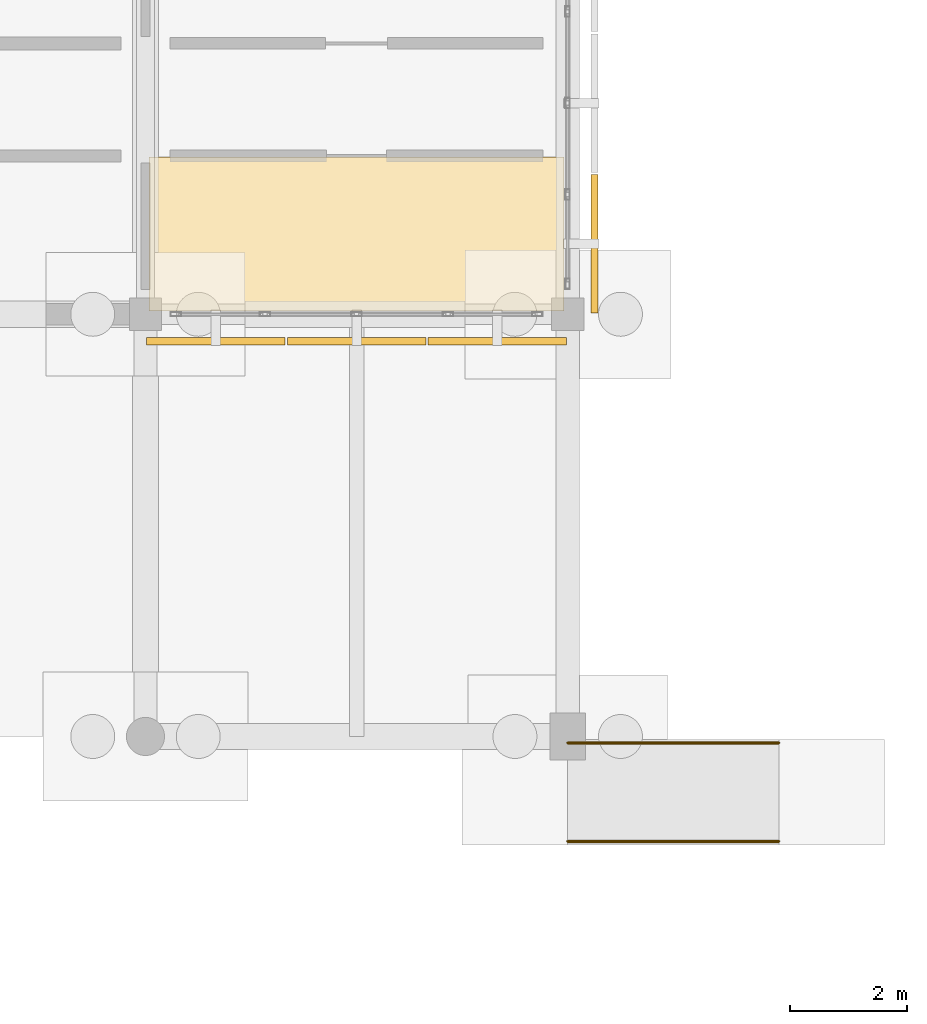
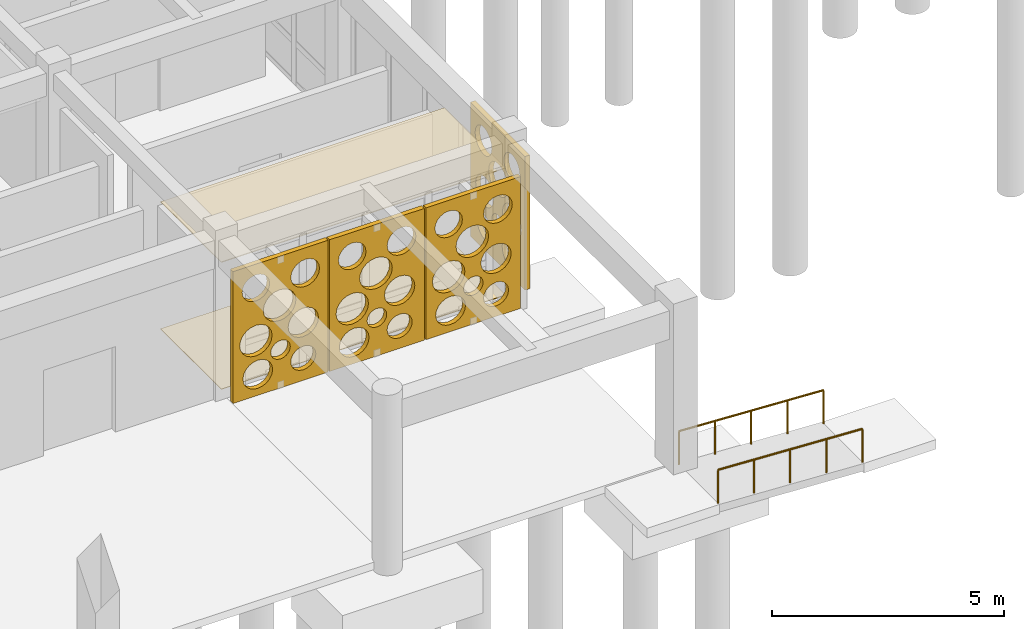
# One storey, part 100 of 111: 6 coverings, 2 railings.
"""IFC4 building model written with IfcOpenShell, lengths in metres."""

from ifc_helpers import new_model, si_unit, direction, frame, origin, origin_2d, place, context, subcontext, project, spatial, polyline, circle, outline, extrude, material, layer, layer_set, type_object, element, save


model = new_model("IFC4")

# Units and contexts
model_context = context("Model", 3, precision=1e-05, world=origin(), true_north=direction((0.0, 1.0)))
body_context = subcontext(model_context, "Body", "Model", "MODEL_VIEW")
ifc_project = project(units=[si_unit("LENGTHUNIT", "METRE"), si_unit("AREAUNIT", "SQUARE_METRE"), si_unit("VOLUMEUNIT", "CUBIC_METRE"), si_unit("PLANEANGLEUNIT", "RADIAN"), si_unit("MASSUNIT", "GRAM", prefix="KILO")], contexts=[model_context])

# Site, building, storey
site_placement = place(None, origin())
site = spatial("IfcSite", under=ifc_project, at=site_placement, CompositionType="ELEMENT")
building_placement = place(site_placement, origin())
building = spatial("IfcBuilding", under=site, at=building_placement, Name="Aldebral Square Health Centre", CompositionType="ELEMENT")
storey_placement = place(building_placement, origin())
storey = spatial("IfcBuildingStorey", under=building, at=storey_placement, Name="L00", CompositionType="ELEMENT", Elevation=0.0)

# Coverings
ifc_material_1 = material(Name="Hygienic acoustic mineral ceiling tile")
ifc_layer_1 = layer(ifc_material_1, 0.02001953125, Name="Hygienic acoustic mineral ceiling tile")
ifc_layer_set_1 = layer_set([ifc_layer_1], Name="Hygienic acoustic mineral ceiling tile")
covering_type_1 = type_object("IfcCoveringType", Name="COV-CLG-AC", PredefinedType="CEILING", material=ifc_layer_set_1)
covering_1_placement = place(storey_placement, frame((0.0, 0.0, 3.340087890625)))
element("IfcCovering", 1, at=covering_1_placement, inside=storey, type_object=covering_type_1, Name="L00 Community Cafe 15.12S acoustic ceiling", PredefinedType="CEILING", context=body_context, shape_type="SweptSolid", body=[
    extrude(outline(polyline([(100.860107421875, 79.260009765625), (107.93994140625, 79.260009765625), (107.93994140625, 81.8798828125), (100.860107421875, 81.8798828125), (100.860107421875, 79.260009765625)])), origin(), (0.0, 0.0, 1.0), 0.02001953125),
])
ifc_material_2 = material(Name="Antimicrobial clinical vinyl flooring")
ifc_layer_2 = layer(ifc_material_2, 0.014892578125, Name="Antimicrobial clinical vinyl flooring")
ifc_layer_set_2 = layer_set([ifc_layer_2], Name="Antimicrobial clinical vinyl flooring")
covering_type_2 = type_object("IfcCoveringType", Name="COV-FLR-VN", PredefinedType="FLOORING", material=ifc_layer_set_2)
covering_2_placement = place(storey_placement, origin())
element("IfcCovering", 2, at=covering_2_placement, inside=storey, type_object=covering_type_2, Name="L00 Community Cafe 15.12S clinical flooring", PredefinedType="FLOORING", context=body_context, shape_type="SweptSolid", body=[
    extrude(outline(polyline([(100.860107421875, 79.260009765625), (107.93994140625, 79.260009765625), (107.93994140625, 81.8798828125), (100.860107421875, 81.8798828125), (100.860107421875, 79.260009765625)])), origin(), (0.0, 0.0, 1.0), 0.014892578125),
])
ifc_material_3 = material(Name="Cream cantera perforated stone screen", Category="masonry")
ifc_layer_3 = layer(ifc_material_3, 0.1201171875, Name="Cream cantera perforated stone screen", Category="masonry")
ifc_layer_set_3 = layer_set([ifc_layer_3], Name="Cream cantera perforated stone screen")
covering_type_3 = type_object("IfcCoveringType", Name="COV-SCR-120", PredefinedType="CLADDING", material=ifc_layer_set_3)
covering_3_placement = place(storey_placement, frame((100.820068359375, 78.739990234375, 0.0), z_axis=(0.0, 0.0, 1.0), x_axis=(1.0, 0.0, 0.0)))
element("IfcCovering", 3, at=covering_3_placement, inside=storey, type_object=covering_type_3, Name="L00 V1 circular-aperture stone screen L00-V1-14-11-S.1", PredefinedType="CLADDING", context=body_context, shape_type="SweptSolid", body=[
    extrude(outline(polyline([(0.0, 0.0), (2.35986328125, 0.0), (2.35986328125, 3.469970703125), (0.0, 3.469970703125), (0.0, 0.0)]), holes=[polyline([(0.98486328125, 0.55517578125), (0.966552734375, 0.4404296875), (0.913818359375, 0.3369140625), (0.831787109375, 0.2548828125), (0.728271484375, 0.2021484375), (0.613525390625, 0.18408203125), (0.498779296875, 0.2021484375), (0.3955078125, 0.2548828125), (0.313232421875, 0.3369140625), (0.260498046875, 0.4404296875), (0.242431640625, 0.55517578125), (0.260498046875, 0.669921875), (0.313232421875, 0.7734375), (0.3955078125, 0.85546875), (0.498779296875, 0.908203125), (0.613525390625, 0.926513671875), (0.728271484375, 0.908203125), (0.831787109375, 0.85546875), (0.913818359375, 0.7734375), (0.966552734375, 0.669921875), (0.98486328125, 0.55517578125)]), polyline([(2.059326171875, 0.58984375), (2.0439453125, 0.4931640625), (1.99951171875, 0.406005859375), (1.930419921875, 0.336669921875), (1.843017578125, 0.292236328125), (1.746337890625, 0.277099609375), (1.649658203125, 0.292236328125), (1.5625, 0.336669921875), (1.4931640625, 0.406005859375), (1.44873046875, 0.4931640625), (1.43359375, 0.58984375), (1.44873046875, 0.6865234375), (1.4931640625, 0.77392578125), (1.5625, 0.843017578125), (1.649658203125, 0.887451171875), (1.746337890625, 0.90283203125), (1.843017578125, 0.887451171875), (1.930419921875, 0.843017578125), (1.99951171875, 0.77392578125), (2.0439453125, 0.6865234375), (2.059326171875, 0.58984375)]), polyline([(0.970703125, 1.45751953125), (0.950927734375, 1.33251953125), (0.8935546875, 1.2197265625), (0.803955078125, 1.13037109375), (0.69140625, 1.072998046875), (0.56640625, 1.052978515625), (0.44140625, 1.072998046875), (0.328857421875, 1.13037109375), (0.2392578125, 1.2197265625), (0.181884765625, 1.33251953125), (0.162109375, 1.45751953125), (0.181884765625, 1.582275390625), (0.2392578125, 1.695068359375), (0.328857421875, 1.784423828125), (0.44140625, 1.841796875), (0.56640625, 1.86181640625), (0.69140625, 1.841796875), (0.803955078125, 1.784423828125), (0.8935546875, 1.695068359375), (0.950927734375, 1.582275390625), (0.970703125, 1.45751953125)]), polyline([(2.124267578125, 1.52685546875), (2.105712890625, 1.41015625), (2.052001953125, 1.3046875), (1.968505859375, 1.22119140625), (1.863037109375, 1.16748046875), (1.746337890625, 1.14892578125), (1.629638671875, 1.16748046875), (1.5244140625, 1.22119140625), (1.440673828125, 1.3046875), (1.38720703125, 1.41015625), (1.36865234375, 1.52685546875), (1.38720703125, 1.6435546875), (1.440673828125, 1.748779296875), (1.5244140625, 1.83251953125), (1.629638671875, 1.88623046875), (1.746337890625, 1.904541015625), (1.863037109375, 1.88623046875), (1.968505859375, 1.83251953125), (2.052001953125, 1.748779296875), (2.105712890625, 1.6435546875), (2.124267578125, 1.52685546875)]), polyline([(1.42431640625, 1.00634765625), (1.412353515625, 0.9306640625), (1.377685546875, 0.862548828125), (1.32373046875, 0.80859375), (1.255615234375, 0.77392578125), (1.179931640625, 0.761962890625), (1.1044921875, 0.77392578125), (1.036376953125, 0.80859375), (0.982177734375, 0.862548828125), (0.947509765625, 0.9306640625), (0.935546875, 1.00634765625), (0.947509765625, 1.081787109375), (0.982177734375, 1.14990234375), (1.036376953125, 1.2041015625), (1.1044921875, 1.23876953125), (1.179931640625, 1.250732421875), (1.255615234375, 1.23876953125), (1.32373046875, 1.2041015625), (1.377685546875, 1.14990234375), (1.412353515625, 1.081787109375), (1.42431640625, 1.00634765625)]), polyline([(1.563232421875, 2.18603515625), (1.54345703125, 2.060302734375), (1.485595703125, 1.947021484375), (1.3955078125, 1.85693359375), (1.2822265625, 1.799072265625), (1.156494140625, 1.779296875), (1.03076171875, 1.799072265625), (0.917236328125, 1.85693359375), (0.8271484375, 1.947021484375), (0.76953125, 2.060302734375), (0.74951171875, 2.18603515625), (0.76953125, 2.311767578125), (0.8271484375, 2.42529296875), (0.917236328125, 2.515380859375), (1.03076171875, 2.572998046875), (1.156494140625, 2.593017578125), (1.2822265625, 2.572998046875), (1.3955078125, 2.515380859375), (1.485595703125, 2.42529296875), (1.54345703125, 2.311767578125), (1.563232421875, 2.18603515625)]), polyline([(0.9091796875, 2.845458984375), (0.892333984375, 2.739501953125), (0.84375, 2.64404296875), (0.767822265625, 2.568115234375), (0.67236328125, 2.51953125), (0.56640625, 2.502685546875), (0.46044921875, 2.51953125), (0.364990234375, 2.568115234375), (0.2890625, 2.64404296875), (0.240478515625, 2.739501953125), (0.2236328125, 2.845458984375), (0.240478515625, 2.951416015625), (0.2890625, 3.046875), (0.364990234375, 3.12255859375), (0.46044921875, 3.17138671875), (0.56640625, 3.18798828125), (0.67236328125, 3.17138671875), (0.767822265625, 3.12255859375), (0.84375, 3.046875), (0.892333984375, 2.951416015625), (0.9091796875, 2.845458984375)]), polyline([(2.1513671875, 2.810791015625), (2.1337890625, 2.7001953125), (2.0830078125, 2.600341796875), (2.00390625, 2.521240234375), (1.904052734375, 2.470458984375), (1.793701171875, 2.452880859375), (1.68310546875, 2.470458984375), (1.583251953125, 2.521240234375), (1.504150390625, 2.600341796875), (1.453369140625, 2.7001953125), (1.435791015625, 2.810791015625), (1.453369140625, 2.921142578125), (1.504150390625, 3.02099609375), (1.583251953125, 3.10009765625), (1.68310546875, 3.15087890625), (1.793701171875, 3.16845703125), (1.904052734375, 3.15087890625), (2.00390625, 3.10009765625), (2.0830078125, 3.02099609375), (2.1337890625, 2.921142578125), (2.1513671875, 2.810791015625)])]), frame((0.0, 0.06005859375, 0.0), z_axis=(0.0, -1.0, 0.0), x_axis=(1.0, 0.0, 0.0)), (0.0, 0.0, 1.0), 0.1201171875),
])
covering_4_placement = place(storey_placement, frame((103.219970703125, 78.739990234375, 0.0), z_axis=(0.0, 0.0, 1.0), x_axis=(1.0, 0.0, 0.0)))
element("IfcCovering", 4, at=covering_4_placement, inside=storey, type_object=covering_type_3, Name="L00 V1 circular-aperture stone screen L00-V1-14-11-S.2", PredefinedType="CLADDING", context=body_context, shape_type="SweptSolid", body=[
    extrude(outline(polyline([(0.0, 0.0), (2.360107421875, 0.0), (2.360107421875, 3.469970703125), (0.0, 3.469970703125), (0.0, 0.0)]), holes=[polyline([(0.98486328125, 0.55517578125), (0.966552734375, 0.4404296875), (0.913818359375, 0.3369140625), (0.831787109375, 0.2548828125), (0.728271484375, 0.2021484375), (0.613525390625, 0.18408203125), (0.498779296875, 0.2021484375), (0.3955078125, 0.2548828125), (0.313232421875, 0.3369140625), (0.260498046875, 0.4404296875), (0.242431640625, 0.55517578125), (0.260498046875, 0.669921875), (0.313232421875, 0.7734375), (0.3955078125, 0.85546875), (0.498779296875, 0.908203125), (0.613525390625, 0.926513671875), (0.728271484375, 0.908203125), (0.831787109375, 0.85546875), (0.913818359375, 0.7734375), (0.966552734375, 0.669921875), (0.98486328125, 0.55517578125)]), polyline([(2.059326171875, 0.58984375), (2.0439453125, 0.4931640625), (1.99951171875, 0.406005859375), (1.930419921875, 0.336669921875), (1.843017578125, 0.292236328125), (1.746337890625, 0.277099609375), (1.649658203125, 0.292236328125), (1.5625, 0.336669921875), (1.4931640625, 0.406005859375), (1.44873046875, 0.4931640625), (1.43359375, 0.58984375), (1.44873046875, 0.6865234375), (1.4931640625, 0.77392578125), (1.5625, 0.843017578125), (1.649658203125, 0.887451171875), (1.746337890625, 0.90283203125), (1.843017578125, 0.887451171875), (1.930419921875, 0.843017578125), (1.99951171875, 0.77392578125), (2.0439453125, 0.6865234375), (2.059326171875, 0.58984375)]), polyline([(0.970703125, 1.45751953125), (0.950927734375, 1.33251953125), (0.8935546875, 1.2197265625), (0.803955078125, 1.13037109375), (0.69140625, 1.072998046875), (0.56640625, 1.052978515625), (0.44140625, 1.072998046875), (0.328857421875, 1.13037109375), (0.2392578125, 1.2197265625), (0.181884765625, 1.33251953125), (0.162109375, 1.45751953125), (0.181884765625, 1.582275390625), (0.2392578125, 1.695068359375), (0.328857421875, 1.784423828125), (0.44140625, 1.841796875), (0.56640625, 1.86181640625), (0.69140625, 1.841796875), (0.803955078125, 1.784423828125), (0.8935546875, 1.695068359375), (0.950927734375, 1.582275390625), (0.970703125, 1.45751953125)]), polyline([(2.124267578125, 1.52685546875), (2.105712890625, 1.41015625), (2.052001953125, 1.3046875), (1.968505859375, 1.22119140625), (1.863037109375, 1.16748046875), (1.746337890625, 1.14892578125), (1.629638671875, 1.16748046875), (1.5244140625, 1.22119140625), (1.440673828125, 1.3046875), (1.38720703125, 1.41015625), (1.36865234375, 1.52685546875), (1.38720703125, 1.6435546875), (1.440673828125, 1.748779296875), (1.5244140625, 1.83251953125), (1.629638671875, 1.88623046875), (1.746337890625, 1.904541015625), (1.863037109375, 1.88623046875), (1.968505859375, 1.83251953125), (2.052001953125, 1.748779296875), (2.105712890625, 1.6435546875), (2.124267578125, 1.52685546875)]), polyline([(1.42431640625, 1.00634765625), (1.412353515625, 0.9306640625), (1.377685546875, 0.862548828125), (1.32373046875, 0.80859375), (1.255615234375, 0.77392578125), (1.179931640625, 0.761962890625), (1.1044921875, 0.77392578125), (1.036376953125, 0.80859375), (0.982177734375, 0.862548828125), (0.947509765625, 0.9306640625), (0.935546875, 1.00634765625), (0.947509765625, 1.081787109375), (0.982177734375, 1.14990234375), (1.036376953125, 1.2041015625), (1.1044921875, 1.23876953125), (1.179931640625, 1.250732421875), (1.255615234375, 1.23876953125), (1.32373046875, 1.2041015625), (1.377685546875, 1.14990234375), (1.412353515625, 1.081787109375), (1.42431640625, 1.00634765625)]), polyline([(1.563232421875, 2.18603515625), (1.54345703125, 2.060302734375), (1.485595703125, 1.947021484375), (1.3955078125, 1.85693359375), (1.2822265625, 1.799072265625), (1.156494140625, 1.779296875), (1.03076171875, 1.799072265625), (0.917236328125, 1.85693359375), (0.8271484375, 1.947021484375), (0.76953125, 2.060302734375), (0.74951171875, 2.18603515625), (0.76953125, 2.311767578125), (0.8271484375, 2.42529296875), (0.917236328125, 2.515380859375), (1.03076171875, 2.572998046875), (1.156494140625, 2.593017578125), (1.2822265625, 2.572998046875), (1.3955078125, 2.515380859375), (1.485595703125, 2.42529296875), (1.54345703125, 2.311767578125), (1.563232421875, 2.18603515625)]), polyline([(0.9091796875, 2.845458984375), (0.892333984375, 2.739501953125), (0.84375, 2.64404296875), (0.767822265625, 2.568115234375), (0.67236328125, 2.51953125), (0.56640625, 2.502685546875), (0.46044921875, 2.51953125), (0.364990234375, 2.568115234375), (0.2890625, 2.64404296875), (0.240478515625, 2.739501953125), (0.2236328125, 2.845458984375), (0.240478515625, 2.951416015625), (0.2890625, 3.046875), (0.364990234375, 3.12255859375), (0.46044921875, 3.17138671875), (0.56640625, 3.18798828125), (0.67236328125, 3.17138671875), (0.767822265625, 3.12255859375), (0.84375, 3.046875), (0.892333984375, 2.951416015625), (0.9091796875, 2.845458984375)]), polyline([(2.1513671875, 2.810791015625), (2.1337890625, 2.7001953125), (2.0830078125, 2.600341796875), (2.00390625, 2.521240234375), (1.904052734375, 2.470458984375), (1.793701171875, 2.452880859375), (1.68310546875, 2.470458984375), (1.583251953125, 2.521240234375), (1.504150390625, 2.600341796875), (1.453369140625, 2.7001953125), (1.435791015625, 2.810791015625), (1.453369140625, 2.921142578125), (1.504150390625, 3.02099609375), (1.583251953125, 3.10009765625), (1.68310546875, 3.15087890625), (1.793701171875, 3.16845703125), (1.904052734375, 3.15087890625), (2.00390625, 3.10009765625), (2.0830078125, 3.02099609375), (2.1337890625, 2.921142578125), (2.1513671875, 2.810791015625)])]), frame((0.0, 0.06005859375, 0.0), z_axis=(0.0, -1.0, 0.0), x_axis=(1.0, 0.0, 0.0)), (0.0, 0.0, 1.0), 0.1201171875),
])
covering_5_placement = place(storey_placement, frame((105.6201171875, 78.739990234375, 0.0), z_axis=(0.0, 0.0, 1.0), x_axis=(1.0, 0.0, 0.0)))
element("IfcCovering", 5, at=covering_5_placement, inside=storey, type_object=covering_type_3, Name="L00 V1 circular-aperture stone screen L00-V1-14-11-S.3", PredefinedType="CLADDING", context=body_context, shape_type="SweptSolid", body=[
    extrude(outline(polyline([(0.0, 0.0), (2.35986328125, 0.0), (2.35986328125, 3.469970703125), (0.0, 3.469970703125), (0.0, 0.0)]), holes=[polyline([(0.98486328125, 0.55517578125), (0.966552734375, 0.4404296875), (0.913818359375, 0.3369140625), (0.831787109375, 0.2548828125), (0.728271484375, 0.2021484375), (0.613525390625, 0.18408203125), (0.498779296875, 0.2021484375), (0.3955078125, 0.2548828125), (0.313232421875, 0.3369140625), (0.260498046875, 0.4404296875), (0.242431640625, 0.55517578125), (0.260498046875, 0.669921875), (0.313232421875, 0.7734375), (0.3955078125, 0.85546875), (0.498779296875, 0.908203125), (0.613525390625, 0.926513671875), (0.728271484375, 0.908203125), (0.831787109375, 0.85546875), (0.913818359375, 0.7734375), (0.966552734375, 0.669921875), (0.98486328125, 0.55517578125)]), polyline([(2.059326171875, 0.58984375), (2.0439453125, 0.4931640625), (1.99951171875, 0.406005859375), (1.930419921875, 0.336669921875), (1.843017578125, 0.292236328125), (1.746337890625, 0.277099609375), (1.649658203125, 0.292236328125), (1.5625, 0.336669921875), (1.4931640625, 0.406005859375), (1.44873046875, 0.4931640625), (1.43359375, 0.58984375), (1.44873046875, 0.6865234375), (1.4931640625, 0.77392578125), (1.5625, 0.843017578125), (1.649658203125, 0.887451171875), (1.746337890625, 0.90283203125), (1.843017578125, 0.887451171875), (1.930419921875, 0.843017578125), (1.99951171875, 0.77392578125), (2.0439453125, 0.6865234375), (2.059326171875, 0.58984375)]), polyline([(0.970703125, 1.45751953125), (0.950927734375, 1.33251953125), (0.8935546875, 1.2197265625), (0.803955078125, 1.13037109375), (0.69140625, 1.072998046875), (0.56640625, 1.052978515625), (0.44140625, 1.072998046875), (0.328857421875, 1.13037109375), (0.2392578125, 1.2197265625), (0.181884765625, 1.33251953125), (0.162109375, 1.45751953125), (0.181884765625, 1.582275390625), (0.2392578125, 1.695068359375), (0.328857421875, 1.784423828125), (0.44140625, 1.841796875), (0.56640625, 1.86181640625), (0.69140625, 1.841796875), (0.803955078125, 1.784423828125), (0.8935546875, 1.695068359375), (0.950927734375, 1.582275390625), (0.970703125, 1.45751953125)]), polyline([(2.124267578125, 1.52685546875), (2.105712890625, 1.41015625), (2.052001953125, 1.3046875), (1.968505859375, 1.22119140625), (1.863037109375, 1.16748046875), (1.746337890625, 1.14892578125), (1.629638671875, 1.16748046875), (1.5244140625, 1.22119140625), (1.440673828125, 1.3046875), (1.38720703125, 1.41015625), (1.36865234375, 1.52685546875), (1.38720703125, 1.6435546875), (1.440673828125, 1.748779296875), (1.5244140625, 1.83251953125), (1.629638671875, 1.88623046875), (1.746337890625, 1.904541015625), (1.863037109375, 1.88623046875), (1.968505859375, 1.83251953125), (2.052001953125, 1.748779296875), (2.105712890625, 1.6435546875), (2.124267578125, 1.52685546875)]), polyline([(1.42431640625, 1.00634765625), (1.412353515625, 0.9306640625), (1.377685546875, 0.862548828125), (1.32373046875, 0.80859375), (1.255615234375, 0.77392578125), (1.179931640625, 0.761962890625), (1.1044921875, 0.77392578125), (1.036376953125, 0.80859375), (0.982177734375, 0.862548828125), (0.947509765625, 0.9306640625), (0.935546875, 1.00634765625), (0.947509765625, 1.081787109375), (0.982177734375, 1.14990234375), (1.036376953125, 1.2041015625), (1.1044921875, 1.23876953125), (1.179931640625, 1.250732421875), (1.255615234375, 1.23876953125), (1.32373046875, 1.2041015625), (1.377685546875, 1.14990234375), (1.412353515625, 1.081787109375), (1.42431640625, 1.00634765625)]), polyline([(1.563232421875, 2.18603515625), (1.54345703125, 2.060302734375), (1.485595703125, 1.947021484375), (1.3955078125, 1.85693359375), (1.2822265625, 1.799072265625), (1.156494140625, 1.779296875), (1.03076171875, 1.799072265625), (0.917236328125, 1.85693359375), (0.8271484375, 1.947021484375), (0.76953125, 2.060302734375), (0.74951171875, 2.18603515625), (0.76953125, 2.311767578125), (0.8271484375, 2.42529296875), (0.917236328125, 2.515380859375), (1.03076171875, 2.572998046875), (1.156494140625, 2.593017578125), (1.2822265625, 2.572998046875), (1.3955078125, 2.515380859375), (1.485595703125, 2.42529296875), (1.54345703125, 2.311767578125), (1.563232421875, 2.18603515625)]), polyline([(0.9091796875, 2.845458984375), (0.892333984375, 2.739501953125), (0.84375, 2.64404296875), (0.767822265625, 2.568115234375), (0.67236328125, 2.51953125), (0.56640625, 2.502685546875), (0.46044921875, 2.51953125), (0.364990234375, 2.568115234375), (0.2890625, 2.64404296875), (0.240478515625, 2.739501953125), (0.2236328125, 2.845458984375), (0.240478515625, 2.951416015625), (0.2890625, 3.046875), (0.364990234375, 3.12255859375), (0.46044921875, 3.17138671875), (0.56640625, 3.18798828125), (0.67236328125, 3.17138671875), (0.767822265625, 3.12255859375), (0.84375, 3.046875), (0.892333984375, 2.951416015625), (0.9091796875, 2.845458984375)]), polyline([(2.1513671875, 2.810791015625), (2.1337890625, 2.7001953125), (2.0830078125, 2.600341796875), (2.00390625, 2.521240234375), (1.904052734375, 2.470458984375), (1.793701171875, 2.452880859375), (1.68310546875, 2.470458984375), (1.583251953125, 2.521240234375), (1.504150390625, 2.600341796875), (1.453369140625, 2.7001953125), (1.435791015625, 2.810791015625), (1.453369140625, 2.921142578125), (1.504150390625, 3.02099609375), (1.583251953125, 3.10009765625), (1.68310546875, 3.15087890625), (1.793701171875, 3.16845703125), (1.904052734375, 3.15087890625), (2.00390625, 3.10009765625), (2.0830078125, 3.02099609375), (2.1337890625, 2.921142578125), (2.1513671875, 2.810791015625)])]), frame((0.0, 0.06005859375, 0.0), z_axis=(0.0, -1.0, 0.0), x_axis=(1.0, 0.0, 0.0)), (0.0, 0.0, 1.0), 0.1201171875),
])
covering_6_placement = place(storey_placement, frame((108.4599609375, 79.219970703125, 0.0), z_axis=(0.0, 0.0, 1.0), x_axis=(0.0, 1.0, 0.0)))
element("IfcCovering", 6, at=covering_6_placement, inside=storey, type_object=covering_type_3, Name="L00 V1 circular-aperture stone screen L00-V1-14-11-E.1", PredefinedType="CLADDING", context=body_context, shape_type="SweptSolid", body=[
    extrude(outline(polyline([(0.0, 0.0), (2.360107421875, 0.0), (2.360107421875, 3.52001953125), (0.0, 3.52001953125), (0.0, 0.0)]), holes=[polyline([(0.987548828125, 0.563232421875), (0.96923828125, 0.44775390625), (0.916015625, 0.343505859375), (0.833251953125, 0.2607421875), (0.729248046875, 0.20751953125), (0.613525390625, 0.189208984375), (0.498046875, 0.20751953125), (0.393798828125, 0.2607421875), (0.31103515625, 0.343505859375), (0.258056640625, 0.44775390625), (0.23974609375, 0.563232421875), (0.258056640625, 0.6787109375), (0.31103515625, 0.782958984375), (0.393798828125, 0.86572265625), (0.498046875, 0.918701171875), (0.613525390625, 0.93701171875), (0.729248046875, 0.918701171875), (0.833251953125, 0.86572265625), (0.916015625, 0.782958984375), (0.96923828125, 0.6787109375), (0.987548828125, 0.563232421875)]), polyline([(2.0615234375, 0.598388671875), (2.046142578125, 0.5009765625), (2.00146484375, 0.4130859375), (1.931640625, 0.343505859375), (1.84375, 0.298583984375), (1.746337890625, 0.283203125), (1.64892578125, 0.298583984375), (1.56103515625, 0.343505859375), (1.491455078125, 0.4130859375), (1.446533203125, 0.5009765625), (1.43115234375, 0.598388671875), (1.446533203125, 0.69580078125), (1.491455078125, 0.78369140625), (1.56103515625, 0.853515625), (1.64892578125, 0.898193359375), (1.746337890625, 0.91357421875), (1.84375, 0.898193359375), (1.931640625, 0.853515625), (2.00146484375, 0.78369140625), (2.046142578125, 0.69580078125), (2.0615234375, 0.598388671875)]), polyline([(0.974609375, 1.478515625), (0.95458984375, 1.352294921875), (0.896728515625, 1.238525390625), (0.806396484375, 1.148193359375), (0.692626953125, 1.090087890625), (0.56640625, 1.0703125), (0.440185546875, 1.090087890625), (0.326416015625, 1.148193359375), (0.236083984375, 1.238525390625), (0.17822265625, 1.352294921875), (0.158203125, 1.478515625), (0.17822265625, 1.6044921875), (0.236083984375, 1.71826171875), (0.326416015625, 1.80859375), (0.440185546875, 1.86669921875), (0.56640625, 1.88671875), (0.692626953125, 1.86669921875), (0.806396484375, 1.80859375), (0.896728515625, 1.71826171875), (0.95458984375, 1.6044921875), (0.974609375, 1.478515625)]), polyline([(2.127197265625, 1.548828125), (2.1083984375, 1.43115234375), (2.054443359375, 1.324951171875), (1.97021484375, 1.24072265625), (1.864013671875, 1.186767578125), (1.746337890625, 1.168212890625), (1.628662109375, 1.186767578125), (1.522705078125, 1.24072265625), (1.4384765625, 1.324951171875), (1.38427734375, 1.43115234375), (1.36572265625, 1.548828125), (1.38427734375, 1.66650390625), (1.4384765625, 1.7724609375), (1.522705078125, 1.856689453125), (1.628662109375, 1.910888671875), (1.746337890625, 1.929443359375), (1.864013671875, 1.910888671875), (1.97021484375, 1.856689453125), (2.054443359375, 1.7724609375), (2.1083984375, 1.66650390625), (2.127197265625, 1.548828125)]), polyline([(1.42529296875, 1.020751953125), (1.413330078125, 0.945068359375), (1.37841796875, 0.87646484375), (1.32421875, 0.822265625), (1.255859375, 0.787353515625), (1.179931640625, 0.775390625), (1.104248046875, 0.787353515625), (1.03564453125, 0.822265625), (0.9814453125, 0.87646484375), (0.946533203125, 0.945068359375), (0.9345703125, 1.020751953125), (0.946533203125, 1.0966796875), (0.9814453125, 1.1650390625), (1.03564453125, 1.21923828125), (1.104248046875, 1.254150390625), (1.179931640625, 1.26611328125), (1.255859375, 1.254150390625), (1.32421875, 1.21923828125), (1.37841796875, 1.1650390625), (1.413330078125, 1.0966796875), (1.42529296875, 1.020751953125)]), polyline([(1.5673828125, 2.217529296875), (1.54736328125, 2.090576171875), (1.489013671875, 1.97607421875), (1.39794921875, 1.885009765625), (1.283447265625, 1.82666015625), (1.156494140625, 1.806396484375), (1.029296875, 1.82666015625), (0.914794921875, 1.885009765625), (0.82373046875, 1.97607421875), (0.765380859375, 2.090576171875), (0.745361328125, 2.217529296875), (0.765380859375, 2.3447265625), (0.82373046875, 2.459228515625), (0.914794921875, 2.55029296875), (1.029296875, 2.608642578125), (1.156494140625, 2.628662109375), (1.283447265625, 2.608642578125), (1.39794921875, 2.55029296875), (1.489013671875, 2.459228515625), (1.54736328125, 2.3447265625), (1.5673828125, 2.217529296875)]), polyline([(0.91162109375, 2.886474609375), (0.894775390625, 2.77978515625), (0.845703125, 2.68359375), (0.769287109375, 2.607177734375), (0.673095703125, 2.55810546875), (0.56640625, 2.541259765625), (0.459716796875, 2.55810546875), (0.363525390625, 2.607177734375), (0.287109375, 2.68359375), (0.238037109375, 2.77978515625), (0.22119140625, 2.886474609375), (0.238037109375, 2.9931640625), (0.287109375, 3.08935546875), (0.363525390625, 3.165771484375), (0.459716796875, 3.214599609375), (0.56640625, 3.231689453125), (0.673095703125, 3.214599609375), (0.769287109375, 3.165771484375), (0.845703125, 3.08935546875), (0.894775390625, 2.9931640625), (0.91162109375, 2.886474609375)]), polyline([(2.15380859375, 2.851318359375), (2.13623046875, 2.739990234375), (2.0849609375, 2.639404296875), (2.00537109375, 2.559814453125), (1.905029296875, 2.508544921875), (1.793701171875, 2.490966796875), (1.682373046875, 2.508544921875), (1.581787109375, 2.559814453125), (1.502197265625, 2.639404296875), (1.450927734375, 2.739990234375), (1.433349609375, 2.851318359375), (1.450927734375, 2.96240234375), (1.502197265625, 3.06298828125), (1.581787109375, 3.142578125), (1.682373046875, 3.19384765625), (1.793701171875, 3.21142578125), (1.905029296875, 3.19384765625), (2.00537109375, 3.142578125), (2.0849609375, 3.06298828125), (2.13623046875, 2.96240234375), (2.15380859375, 2.851318359375)])]), frame((0.0, 0.06005859375, 0.0), z_axis=(0.0, -1.0, 0.0), x_axis=(1.0, 0.0, 0.0)), (0.0, 0.0, 1.0), 0.1201171875),
])

# Railings
ifc_material_4 = material(Name="Stainless steel handrail", Category="steel")
railing_type = type_object("IfcRailingType", Name="RL-RMP-HND", PredefinedType="HANDRAIL", material=ifc_material_4)
for number, where, name in (
    (7, (111.60009765625, 71.889892578125, -0.179931640625), "Main Square East Entry Ramp handrail 1"),
    (8, (111.60009765625, 70.2099609375, -0.179931640625), "Main Square East Entry Ramp handrail 2"),
):
    element("IfcRailing", number, at=place(storey_placement, frame(where)), inside=storey, type_object=railing_type, Name=name, PredefinedType="HANDRAIL", context=body_context, shape_type="SweptSolid", body=[
        extrude(circle(Radius=0.02392578125, at=origin_2d()), frame((0.0, 0.0, 0.8759765625), z_axis=(-0.998753352096, 0.0, 0.049917348467), x_axis=(0.0, -1.0, 0.0)), (0.0, 0.0, 1.0), 3.6044921875),
        extrude(circle(Radius=0.02099609375, at=origin_2d()), origin(), (0.0, 0.0, 1.0), 0.851806640625),
        extrude(circle(Radius=0.02099609375, at=origin_2d()), frame((-0.89990234375, 0.0, 0.044921875)), (0.0, 0.0, 1.0), 0.851806640625),
        extrude(circle(Radius=0.02099609375, at=origin_2d()), frame((-1.800048828125, 0.0, 0.08984375)), (0.0, 0.0, 1.0), 0.851806640625),
        extrude(circle(Radius=0.02099609375, at=origin_2d()), frame((-2.7001953125, 0.0, 0.135009765625)), (0.0, 0.0, 1.0), 0.851806640625),
        extrude(circle(Radius=0.02099609375, at=origin_2d()), frame((-3.60009765625, 0.0, 0.179931640625)), (0.0, 0.0, 1.0), 0.851806640625),
    ])

save(model, "model.ifc")
